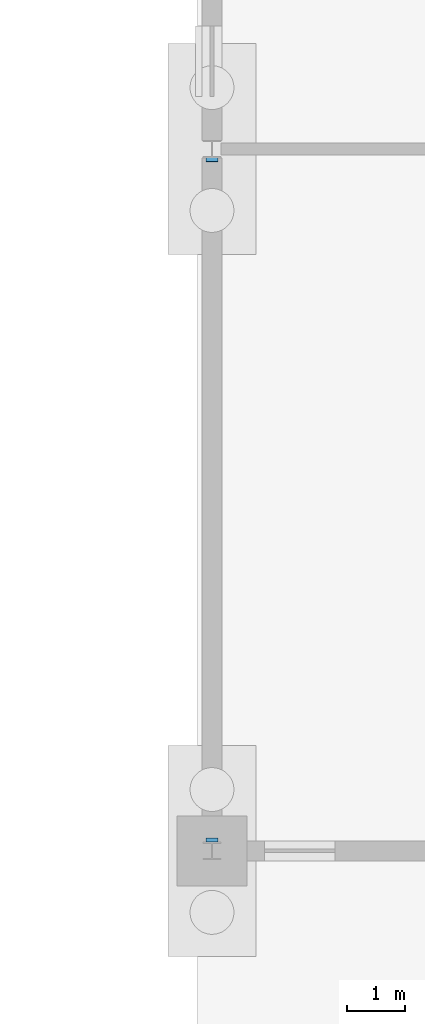
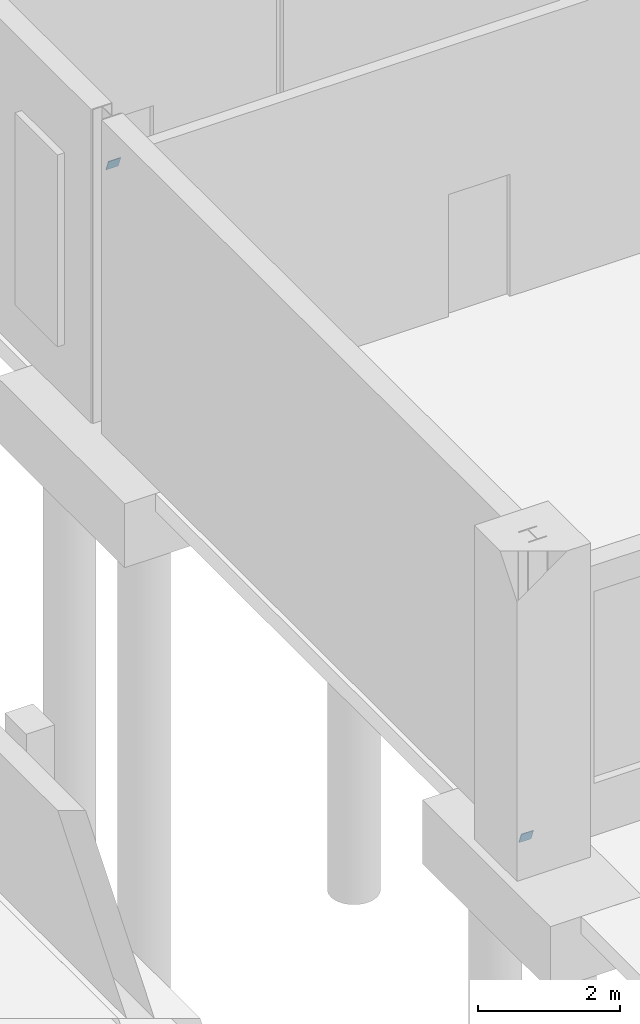
# One storey, part 108 of 132: 2 discrete accessories.
"""IFC4 building model written with IfcOpenShell, lengths in metres."""

from ifc_helpers import new_model, si_unit, direction, frame, origin, origin_2d, place, context, subcontext, project, spatial, rectangle, extrude, material, material_profile, profile_set, type_object, element, save


model = new_model("IFC4")

# Units and contexts
model_context = context("Model", 3, precision=1e-05, world=origin(), true_north=direction((0.0, 1.0)))
body_context = subcontext(model_context, "Body", "Model", "MODEL_VIEW")
ifc_project = project(units=[si_unit("LENGTHUNIT", "METRE"), si_unit("AREAUNIT", "SQUARE_METRE"), si_unit("VOLUMEUNIT", "CUBIC_METRE"), si_unit("PLANEANGLEUNIT", "RADIAN"), si_unit("MASSUNIT", "GRAM", prefix="KILO")], contexts=[model_context])

# Site, building, storey
site_placement = place(None, origin())
site = spatial("IfcSite", under=ifc_project, at=site_placement, CompositionType="ELEMENT")
building_placement = place(site_placement, origin())
building = spatial("IfcBuilding", under=site, at=building_placement, Name="Ravi Spectrum Wholesale Market", CompositionType="ELEMENT")
storey_placement = place(building_placement, origin())
storey = spatial("IfcBuildingStorey", under=building, at=storey_placement, Name="L00", CompositionType="ELEMENT", Elevation=0.0)

# Discrete accessories
ifc_material = material(Name="Steel S355", Category="steel")
ifc_material_profile = material_profile(ifc_material, rectangle(XDim=0.199951171875, YDim=0.199951171875, at=origin_2d()))
ifc_profile_set = profile_set([ifc_material_profile], Name="Steel S355")
discrete_accessory_type = type_object("IfcDiscreteAccessoryType", Name="End plate SHS 200x200x8", PredefinedType="BRACKET", material=ifc_profile_set)
for number, where, z_axis, x_axis, name in (
    (1, (12.0, 210.186279296875, 0.09326171875), (0.0, -0.931242779706, -0.364399348581), (1.0, 0.0, 0.0), "End plate"),
    (2, (12.0, 221.813720703125, 4.606689453125), (0.0, 0.931242779706, 0.364399348581), (-1.0, 0.0, 0.0), "End plate"),
):
    element("IfcDiscreteAccessory", number, at=place(storey_placement, frame(where, z_axis=z_axis, x_axis=x_axis)), inside=storey, type_object=discrete_accessory_type, Name=name, PredefinedType="BRACKET", context=body_context, shape_type="SweptSolid", body=[
        extrude(rectangle(XDim=0.199951171875, YDim=0.199951171875, at=origin_2d()), origin(), (0.0, 0.0, 1.0), 0.011962890625),
    ])

save(model, "model.ifc")
